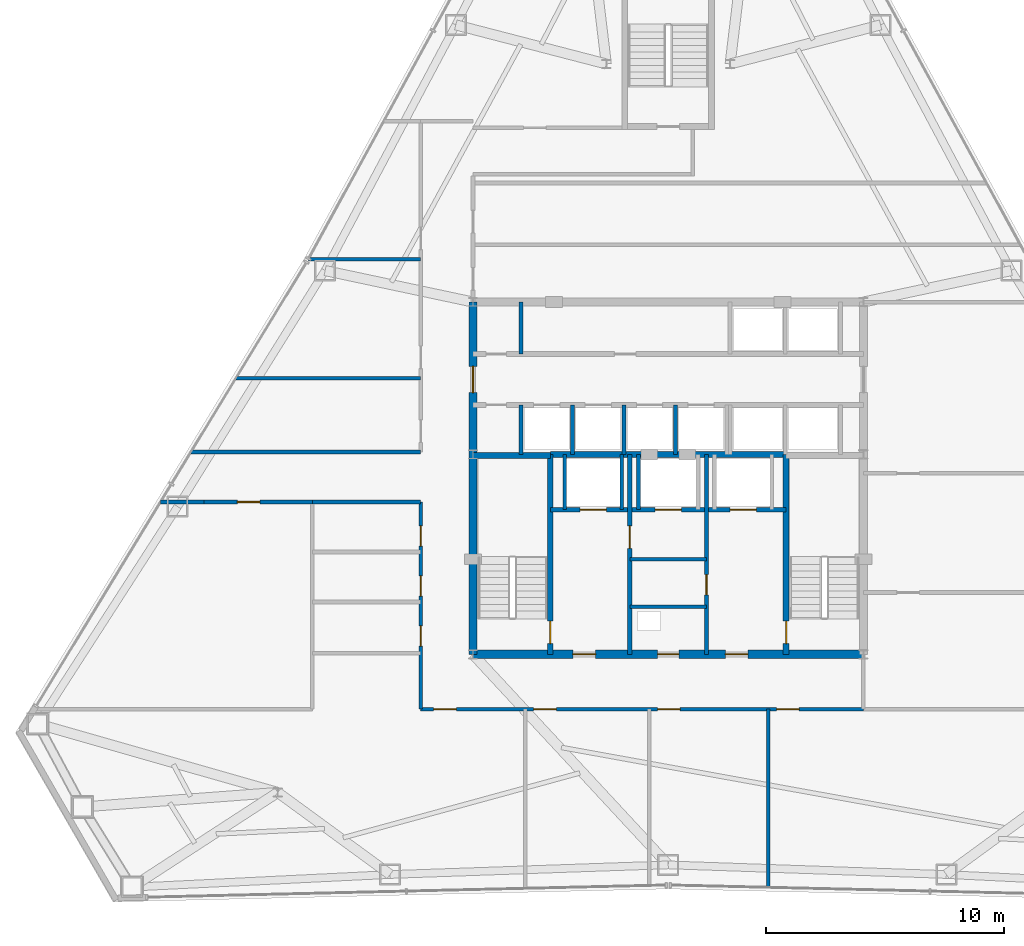
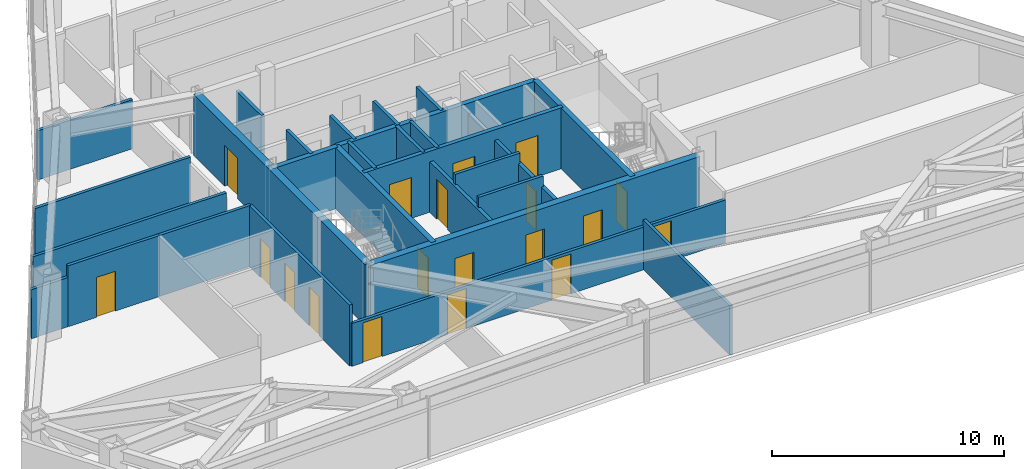
# One storey, part 8 of 11: 28 walls, 19 doors, 19 openings.
"""IFC4 building model written with IfcOpenShell, lengths in metres."""

from ifc_helpers import new_model, si_unit, direction, frame, frame_2d, origin, place, context, subcontext, project, spatial, rectangle, extrude, material, layer, layer_set, type_object, element, fill, save


model = new_model("IFC4")

# Units and contexts
model_context = context("Model", 3, precision=1e-05, world=origin(), true_north=direction((0.0, 1.0)))
body_context = subcontext(model_context, "Body", "Model", "MODEL_VIEW")
ifc_project = project(units=[si_unit("LENGTHUNIT", "METRE"), si_unit("AREAUNIT", "SQUARE_METRE"), si_unit("VOLUMEUNIT", "CUBIC_METRE"), si_unit("PLANEANGLEUNIT", "RADIAN"), si_unit("MASSUNIT", "GRAM", prefix="KILO")], contexts=[model_context])

# Site, building, storey
site_placement = place(None, origin())
site = spatial("IfcSite", under=ifc_project, at=site_placement, CompositionType="ELEMENT")
building_placement = place(site_placement, origin())
building = spatial("IfcBuilding", under=site, at=building_placement, Name="Varakhsha Concourse Tower", CompositionType="ELEMENT")
storey_placement = place(building_placement, frame((0.0, 0.0, 150.5)))
storey = spatial("IfcBuildingStorey", under=building, at=storey_placement, Name="L43", CompositionType="ELEMENT", Elevation=150.5)

# Wall, openings, doors
ifc_material_1 = material(Name="Concrete fc 65 MPa", Category="concrete")
ifc_layer_1 = layer(ifc_material_1, 0.35009765625, Name="WL-CORE-350")
ifc_layer_set_1 = layer_set([ifc_layer_1], Name="Concrete fc 65 MPa")
wall_type_1 = type_object("IfcWallType", Name="WL-CORE-350", PredefinedType="SHEAR", material=ifc_layer_set_1)
wall_1_placement = place(storey_placement, frame((31.800048828125, 16.39990234375, 0.0), z_axis=(0.0, 0.0, 1.0), x_axis=(1.0, 0.0, 0.0)))
wall_1 = element("IfcWall", 1, at=wall_1_placement, inside=storey, type_object=wall_type_1, Name="L43 Wall CWALL-S-L43", PredefinedType="SHEAR", context=body_context, shape_type="SweptSolid", body=[
    extrude(rectangle(XDim=16.39990234375, YDim=0.35009765625, at=frame_2d((8.199951171875, 0.0))), origin(), (0.0, 0.0, 1.0), 3.2099609375),
])
opening_1_placement = place(wall_1_placement, frame((7.75, 0.0, 0.0)))
opening_1 = element("IfcOpeningElement", 2, at=opening_1_placement, cuts=wall_1, Name="Opening DF-06", PredefinedType="OPENING", context=body_context, shape_type="SweptSolid", body=[
    extrude(rectangle(XDim=0.89990234375, YDim=2.10009765625, at=frame_2d((0.449951171875, 1.050048828125))), frame((0.0, 0.18505859375, 0.0), z_axis=(0.0, -1.0, 0.0), x_axis=(1.0, 0.0, 0.0)), (0.0, 0.0, 1.0), 0.3701171875),
])
opening_2_placement = place(wall_1_placement, frame((4.199951171875, 0.0, 0.0)))
opening_2 = element("IfcOpeningElement", 3, at=opening_2_placement, cuts=wall_1, Name="Opening DF-05", PredefinedType="OPENING", context=body_context, shape_type="SweptSolid", body=[
    extrude(rectangle(XDim=0.949951171875, YDim=2.10009765625, at=frame_2d((0.47509765625, 1.050048828125))), frame((0.0, 0.18505859375, 0.0), z_axis=(0.0, -1.0, 0.0), x_axis=(1.0, 0.0, 0.0)), (0.0, 0.0, 1.0), 0.3701171875),
])
opening_3_placement = place(wall_1_placement, frame((10.60009765625, 0.0, 0.0)))
opening_3 = element("IfcOpeningElement", 4, at=opening_3_placement, cuts=wall_1, Name="Opening DF-05", PredefinedType="OPENING", context=body_context, shape_type="SweptSolid", body=[
    extrude(rectangle(XDim=0.949951171875, YDim=2.10009765625, at=frame_2d((0.47509765625, 1.050048828125))), frame((0.0, 0.18505859375, 0.0), z_axis=(0.0, -1.0, 0.0), x_axis=(1.0, 0.0, 0.0)), (0.0, 0.0, 1.0), 0.3701171875),
])
ifc_material_2 = material(Name="Hollow Galvanised Steel Fire Door Assembly", Category="steel")
door_type_1 = type_object("IfcDoorType", Name="DR-FD60-900", OperationType="NOTDEFINED", PredefinedType="DOOR", material=ifc_material_2)
door_1_placement = place(opening_1_placement, origin())
door_1 = element("IfcDoor", 5, at=door_1_placement, inside=storey, type_object=door_type_1, Name="L43 Electrical Riser Door", OperationType="SINGLE_SWING_LEFT", OverallHeight=2.10009765625, OverallWidth=0.89990234375, PredefinedType="DOOR", context=body_context, shape_type="SweptSolid", body=[
    extrude(rectangle(XDim=0.89990234375, YDim=2.10009765625, at=frame_2d((0.449951171875, 1.050048828125))), frame((0.0, 0.02490234375, 0.0), z_axis=(0.0, -1.0, 0.0), x_axis=(1.0, 0.0, 0.0)), (0.0, 0.0, 1.0), 0.050048828125),
])
fill(opening_1, door_1)
door_type_2 = type_object("IfcDoorType", Name="DR-FD60-950", OperationType="NOTDEFINED", PredefinedType="DOOR", material=ifc_material_2)
door_2_placement = place(opening_2_placement, origin())
door_2 = element("IfcDoor", 6, at=door_2_placement, inside=storey, type_object=door_type_2, Name="L43 Firefighting Lobby West Door", OperationType="SINGLE_SWING_RIGHT", OverallHeight=2.10009765625, OverallWidth=0.949951171875, PredefinedType="DOOR", context=body_context, shape_type="SweptSolid", body=[
    extrude(rectangle(XDim=0.949951171875, YDim=2.10009765625, at=frame_2d((0.47509765625, 1.050048828125))), frame((0.0, 0.02490234375, 0.0), z_axis=(0.0, -1.0, 0.0), x_axis=(1.0, 0.0, 0.0)), (0.0, 0.0, 1.0), 0.050048828125),
])
fill(opening_2, door_2)
door_3_placement = place(opening_3_placement, origin())
door_3 = element("IfcDoor", 7, at=door_3_placement, inside=storey, type_object=door_type_2, Name="L43 Firefighting Lobby East Door", OperationType="SINGLE_SWING_LEFT", OverallHeight=2.10009765625, OverallWidth=0.949951171875, PredefinedType="DOOR", context=body_context, shape_type="SweptSolid", body=[
    extrude(rectangle(XDim=0.949951171875, YDim=2.10009765625, at=frame_2d((0.47509765625, 1.050048828125))), frame((0.0, 0.02490234375, 0.0), z_axis=(0.0, -1.0, 0.0), x_axis=(1.0, 0.0, 0.0)), (0.0, 0.0, 1.0), 0.050048828125),
])
fill(opening_3, door_3)

# Wall, opening, door
wall_2_placement = place(storey_placement, frame((31.800048828125, 16.39990234375, 0.0), z_axis=(0.0, 0.0, 1.0), x_axis=(0.0, 1.0, 0.0)))
wall_2 = element("IfcWall", 8, at=wall_2_placement, inside=storey, type_object=wall_type_1, Name="L43 Wall CWALL-W-L43", PredefinedType="SHEAR", context=body_context, shape_type="SweptSolid", body=[
    extrude(rectangle(XDim=14.800048828125, YDim=0.35009765625, at=frame_2d((7.39990234375, 0.0))), origin(), (0.0, 0.0, 1.0), 3.2099609375),
])
opening_4_placement = place(wall_2_placement, frame((11.0, 0.0, 0.0)))
opening_4 = element("IfcOpeningElement", 9, at=opening_4_placement, cuts=wall_2, Name="Opening DL-01", PredefinedType="OPENING", context=body_context, shape_type="SweptSolid", body=[
    extrude(rectangle(XDim=1.10009765625, YDim=2.14990234375, at=frame_2d((0.550048828125, 1.074951171875))), frame((0.0, 0.18505859375, 0.0), z_axis=(0.0, -1.0, 0.0), x_axis=(1.0, 0.0, 0.0)), (0.0, 0.0, 1.0), 0.3701171875),
])
ifc_material_3 = material(Name="Anodised Bronze Architectural Aluminium AA 6063-T6", Category="aluminium")
door_type_3 = type_object("IfcDoorType", Name="DR-LOB-1100", OperationType="NOTDEFINED", PredefinedType="DOOR", material=ifc_material_3)
door_4_placement = place(opening_4_placement, origin())
door_4 = element("IfcDoor", 10, at=door_4_placement, inside=storey, type_object=door_type_3, Name="L43 Lift Lobby West Concourse Door", OperationType="SINGLE_SWING_LEFT", OverallHeight=2.14990234375, OverallWidth=1.10009765625, PredefinedType="DOOR", context=body_context, shape_type="SweptSolid", body=[
    extrude(rectangle(XDim=1.10009765625, YDim=2.14990234375, at=frame_2d((0.550048828125, 1.074951171875))), frame((0.0, 0.02490234375, 0.0), z_axis=(0.0, -1.0, 0.0), x_axis=(1.0, 0.0, 0.0)), (0.0, 0.0, 1.0), 0.050048828125),
])
fill(opening_4, door_4)

ifc_material_4 = material(Name="Fire-Rated Type X Gypsum Partition Assembly", Category="gypsum")
ifc_layer_2 = layer(ifc_material_4, 0.179931640625, Name="WL-FFLOB-180")
ifc_layer_set_2 = layer_set([ifc_layer_2], Name="Fire-Rated Type X Gypsum Partition Assembly")
wall_type_2 = type_object("IfcWallType", Name="WL-FFLOB-180", PredefinedType="PARTITIONING", material=ifc_layer_set_2)
wall_3_placement = place(storey_placement, frame((38.389892578125, 16.39990234375, 0.0), z_axis=(0.0, 0.0, 1.0), x_axis=(0.0, 1.0, 0.0)))
wall_3 = element("IfcWall", 11, at=wall_3_placement, inside=storey, type_object=wall_type_2, Name="L43 Wall FFW-1E-L43", PredefinedType="PARTITIONING", context=body_context, shape_type="SweptSolid", body=[
    extrude(rectangle(XDim=8.400146484375, YDim=0.179931640625, at=frame_2d((4.2001953125, 0.0))), origin(), (0.0, 0.0, 1.0), 2.660888671875),
])
opening_5_placement = place(wall_3_placement, frame((4.449951171875, 0.0, 0.0)))
opening_5 = element("IfcOpeningElement", 12, at=opening_5_placement, cuts=wall_3, Name="Opening DF-05", PredefinedType="OPENING", context=body_context, shape_type="SweptSolid", body=[
    extrude(rectangle(XDim=0.949951171875, YDim=2.10009765625, at=frame_2d((0.47509765625, 1.050048828125))), frame((0.0, 0.099853515625, 0.0), z_axis=(0.0, -1.0, 0.0), x_axis=(1.0, 0.0, 0.0)), (0.0, 0.0, 1.0), 0.199951171875),
])
door_5_placement = place(opening_5_placement, origin())
door_5 = element("IfcDoor", 13, at=door_5_placement, inside=storey, type_object=door_type_2, Name="L43 Service Vestibule Door", OperationType="SINGLE_SWING_RIGHT", OverallHeight=2.10009765625, OverallWidth=0.949951171875, PredefinedType="DOOR", context=body_context, shape_type="SweptSolid", body=[
    extrude(rectangle(XDim=0.949951171875, YDim=2.10009765625, at=frame_2d((0.47509765625, 1.050048828125))), frame((0.0, 0.02490234375, 0.0), z_axis=(0.0, -1.0, 0.0), x_axis=(1.0, 0.0, 0.0)), (0.0, 0.0, 1.0), 0.050048828125),
])
fill(opening_5, door_5)

wall_4_placement = place(storey_placement, frame((41.610107421875, 16.39990234375, 0.0), z_axis=(0.0, 0.0, 1.0), x_axis=(0.0, 1.0, 0.0)))
wall_4 = element("IfcWall", 14, at=wall_4_placement, inside=storey, type_object=wall_type_2, Name="L43 Wall FFW-2W-L43", PredefinedType="PARTITIONING", context=body_context, shape_type="SweptSolid", body=[
    extrude(rectangle(XDim=8.400146484375, YDim=0.179931640625, at=frame_2d((4.2001953125, 0.0))), origin(), (0.0, 0.0, 1.0), 2.660888671875),
])
opening_6_placement = place(wall_4_placement, frame((2.5, 0.0, 0.0)))
opening_6 = element("IfcOpeningElement", 15, at=opening_6_placement, cuts=wall_4, Name="Opening DF-07", PredefinedType="OPENING", context=body_context, shape_type="SweptSolid", body=[
    extrude(rectangle(XDim=0.85009765625, YDim=2.050048828125, at=frame_2d((0.425048828125, 1.02490234375))), frame((0.0, 0.099853515625, 0.0), z_axis=(0.0, -1.0, 0.0), x_axis=(1.0, 0.0, 0.0)), (0.0, 0.0, 1.0), 0.199951171875),
])
door_type_4 = type_object("IfcDoorType", Name="DR-FD60-850", OperationType="NOTDEFINED", PredefinedType="DOOR", material=ifc_material_2)
door_6_placement = place(opening_6_placement, origin())
door_6 = element("IfcDoor", 16, at=door_6_placement, inside=storey, type_object=door_type_4, Name="L43 Telecoms Node Door", OperationType="SINGLE_SWING_LEFT", OverallHeight=2.050048828125, OverallWidth=0.85009765625, PredefinedType="DOOR", context=body_context, shape_type="SweptSolid", body=[
    extrude(rectangle(XDim=0.85009765625, YDim=2.050048828125, at=frame_2d((0.425048828125, 1.02490234375))), frame((0.0, 0.02490234375, 0.0), z_axis=(0.0, -1.0, 0.0), x_axis=(1.0, 0.0, 0.0)), (0.0, 0.0, 1.0), 0.050048828125),
])
fill(opening_6, door_6)

# Walls
ifc_layer_3 = layer(ifc_material_4, 0.14990234375, Name="WL-PART-150")
ifc_layer_set_3 = layer_set([ifc_layer_3], Name="Fire-Rated Type X Gypsum Partition Assembly")
wall_type_3 = type_object("IfcWallType", Name="WL-PART-150", PredefinedType="PARTITIONING", material=ifc_layer_set_3)
for number, where, z_axis, x_axis, name in (
    (17, (38.389892578125, 18.39990234375, 0.0), (0.0, 0.0, 1.0), (1.0, 0.0, 0.0), "L43 Wall RSW-H1-L43"),
    (18, (38.389892578125, 20.39990234375, 0.0), (0.0, 0.0, 1.0), (1.0, 0.0, 0.0), "L43 Wall RSW-H2-L43"),
):
    element("IfcWall", number, at=place(storey_placement, frame(where, z_axis=z_axis, x_axis=x_axis)), inside=storey, type_object=wall_type_3, Name=name, PredefinedType="PARTITIONING", context=body_context, shape_type="SweptSolid", body=[
        extrude(rectangle(XDim=3.22021484375, YDim=0.14990234375, at=frame_2d((1.610107421875, 0.0))), origin(), (0.0, 0.0, 1.0), 3.2099609375),
    ])

# Wall, openings, doors
wall_5_placement = place(storey_placement, frame((29.60009765625, 14.10009765625, 0.0), z_axis=(0.0, 0.0, 1.0), x_axis=(1.0, 0.0, 0.0)))
wall_5 = element("IfcWall", 19, at=wall_5_placement, inside=storey, type_object=wall_type_3, Name="L43 Wall CRW-S-L43", PredefinedType="PARTITIONING", context=body_context, shape_type="SweptSolid", body=[
    extrude(rectangle(XDim=18.599853515625, YDim=0.14990234375, at=frame_2d((9.2998046875, 0.0))), origin(), (0.0, 0.0, 1.0), 2.251953125),
])
opening_7_placement = place(wall_5_placement, frame((0.550048828125, 0.0, 0.0)))
opening_7 = element("IfcOpeningElement", 20, at=opening_7_placement, cuts=wall_5, Name="Opening DF-05", PredefinedType="OPENING", context=body_context, shape_type="SweptSolid", body=[
    extrude(rectangle(XDim=0.949951171875, YDim=2.10009765625, at=frame_2d((0.47509765625, 1.050048828125))), frame((0.0, 0.0849609375, 0.0), z_axis=(0.0, -1.0, 0.0), x_axis=(1.0, 0.0, 0.0)), (0.0, 0.0, 1.0), 0.169921875),
])
opening_8_placement = place(wall_5_placement, frame((4.75, 0.0, 0.0)))
opening_8 = element("IfcOpeningElement", 21, at=opening_8_placement, cuts=wall_5, Name="Opening DF-05", PredefinedType="OPENING", context=body_context, shape_type="SweptSolid", body=[
    extrude(rectangle(XDim=0.949951171875, YDim=2.10009765625, at=frame_2d((0.47509765625, 1.050048828125))), frame((0.0, 0.0849609375, 0.0), z_axis=(0.0, -1.0, 0.0), x_axis=(1.0, 0.0, 0.0)), (0.0, 0.0, 1.0), 0.169921875),
])
opening_9_placement = place(wall_5_placement, frame((9.949951171875, 0.0, 0.0)))
opening_9 = element("IfcOpeningElement", 22, at=opening_9_placement, cuts=wall_5, Name="Opening DF-05", PredefinedType="OPENING", context=body_context, shape_type="SweptSolid", body=[
    extrude(rectangle(XDim=0.949951171875, YDim=2.10009765625, at=frame_2d((0.47509765625, 1.050048828125))), frame((0.0, 0.0849609375, 0.0), z_axis=(0.0, -1.0, 0.0), x_axis=(1.0, 0.0, 0.0)), (0.0, 0.0, 1.0), 0.169921875),
])
opening_10_placement = place(wall_5_placement, frame((14.949951171875, 0.0, 0.0)))
opening_10 = element("IfcOpeningElement", 23, at=opening_10_placement, cuts=wall_5, Name="Opening DF-05", PredefinedType="OPENING", context=body_context, shape_type="SweptSolid", body=[
    extrude(rectangle(XDim=0.949951171875, YDim=2.10009765625, at=frame_2d((0.47509765625, 1.050048828125))), frame((0.0, 0.0849609375, 0.0), z_axis=(0.0, -1.0, 0.0), x_axis=(1.0, 0.0, 0.0)), (0.0, 0.0, 1.0), 0.169921875),
])
door_7_placement = place(opening_7_placement, origin())
door_7 = element("IfcDoor", 24, at=door_7_placement, inside=storey, type_object=door_type_2, Name="L43 Grand Corner Boardroom L43-S1 Door", OperationType="SINGLE_SWING_LEFT", OverallHeight=2.10009765625, OverallWidth=0.949951171875, PredefinedType="DOOR", context=body_context, shape_type="SweptSolid", body=[
    extrude(rectangle(XDim=0.949951171875, YDim=2.10009765625, at=frame_2d((0.47509765625, 1.050048828125))), frame((0.0, 0.02490234375, 0.0), z_axis=(0.0, -1.0, 0.0), x_axis=(1.0, 0.0, 0.0)), (0.0, 0.0, 1.0), 0.050048828125),
])
fill(opening_7, door_7)
door_8_placement = place(opening_8_placement, origin())
door_8 = element("IfcDoor", 25, at=door_8_placement, inside=storey, type_object=door_type_2, Name="L43 Executive Director Suite L43-S2 Door", OperationType="SINGLE_SWING_RIGHT", OverallHeight=2.10009765625, OverallWidth=0.949951171875, PredefinedType="DOOR", context=body_context, shape_type="SweptSolid", body=[
    extrude(rectangle(XDim=0.949951171875, YDim=2.10009765625, at=frame_2d((0.47509765625, 1.050048828125))), frame((0.0, 0.02490234375, 0.0), z_axis=(0.0, -1.0, 0.0), x_axis=(1.0, 0.0, 0.0)), (0.0, 0.0, 1.0), 0.050048828125),
])
fill(opening_8, door_8)
door_9_placement = place(opening_9_placement, origin())
door_9 = element("IfcDoor", 26, at=door_9_placement, inside=storey, type_object=door_type_2, Name="L43 Executive Director Suite L43-S3 Door", OperationType="SINGLE_SWING_LEFT", OverallHeight=2.10009765625, OverallWidth=0.949951171875, PredefinedType="DOOR", context=body_context, shape_type="SweptSolid", body=[
    extrude(rectangle(XDim=0.949951171875, YDim=2.10009765625, at=frame_2d((0.47509765625, 1.050048828125))), frame((0.0, 0.02490234375, 0.0), z_axis=(0.0, -1.0, 0.0), x_axis=(1.0, 0.0, 0.0)), (0.0, 0.0, 1.0), 0.050048828125),
])
fill(opening_9, door_9)
door_10_placement = place(opening_10_placement, origin())
door_10 = element("IfcDoor", 27, at=door_10_placement, inside=storey, type_object=door_type_2, Name="L43 Executive Director Suite L43-S4 Door", OperationType="SINGLE_SWING_RIGHT", OverallHeight=2.10009765625, OverallWidth=0.949951171875, PredefinedType="DOOR", context=body_context, shape_type="SweptSolid", body=[
    extrude(rectangle(XDim=0.949951171875, YDim=2.10009765625, at=frame_2d((0.47509765625, 1.050048828125))), frame((0.0, 0.02490234375, 0.0), z_axis=(0.0, -1.0, 0.0), x_axis=(1.0, 0.0, 0.0)), (0.0, 0.0, 1.0), 0.050048828125),
])
fill(opening_10, door_10)

wall_6_placement = place(storey_placement, frame((29.60009765625, 14.10009765625, 0.0), z_axis=(0.0, 0.0, 1.0), x_axis=(0.0, 1.0, 0.0)))
wall_6 = element("IfcWall", 28, at=wall_6_placement, inside=storey, type_object=wall_type_3, Name="L43 Wall CRW-WS-L43", PredefinedType="PARTITIONING", context=body_context, shape_type="SweptSolid", body=[
    extrude(rectangle(XDim=8.699951171875, YDim=0.14990234375, at=frame_2d((4.35009765625, 0.0))), origin(), (0.0, 0.0, 1.0), 3.2099609375),
])
opening_11_placement = place(wall_6_placement, frame((2.64990234375, 0.0, 0.0)))
opening_11 = element("IfcOpeningElement", 29, at=opening_11_placement, cuts=wall_6, Name="Opening DF-07", PredefinedType="OPENING", context=body_context, shape_type="SweptSolid", body=[
    extrude(rectangle(XDim=0.85009765625, YDim=2.050048828125, at=frame_2d((0.425048828125, 1.02490234375))), frame((0.0, 0.0849609375, 0.0), z_axis=(0.0, -1.0, 0.0), x_axis=(1.0, 0.0, 0.0)), (0.0, 0.0, 1.0), 0.169921875),
])
opening_12_placement = place(wall_6_placement, frame((4.75, 0.0, 0.0)))
opening_12 = element("IfcOpeningElement", 30, at=opening_12_placement, cuts=wall_6, Name="Opening DF-07", PredefinedType="OPENING", context=body_context, shape_type="SweptSolid", body=[
    extrude(rectangle(XDim=0.85009765625, YDim=2.050048828125, at=frame_2d((0.425048828125, 1.02490234375))), frame((0.0, 0.0849609375, 0.0), z_axis=(0.0, -1.0, 0.0), x_axis=(1.0, 0.0, 0.0)), (0.0, 0.0, 1.0), 0.169921875),
])
opening_13_placement = place(wall_6_placement, frame((6.85009765625, 0.0, 0.0)))
opening_13 = element("IfcOpeningElement", 31, at=opening_13_placement, cuts=wall_6, Name="Opening DF-07", PredefinedType="OPENING", context=body_context, shape_type="SweptSolid", body=[
    extrude(rectangle(XDim=0.85009765625, YDim=2.050048828125, at=frame_2d((0.425048828125, 1.02490234375))), frame((0.0, 0.0849609375, 0.0), z_axis=(0.0, -1.0, 0.0), x_axis=(1.0, 0.0, 0.0)), (0.0, 0.0, 1.0), 0.169921875),
])
door_11_placement = place(opening_11_placement, origin())
door_11 = element("IfcDoor", 32, at=door_11_placement, inside=storey, type_object=door_type_4, Name="L43 Men Restroom WC Door", OperationType="SINGLE_SWING_LEFT", OverallHeight=2.050048828125, OverallWidth=0.85009765625, PredefinedType="DOOR", context=body_context, shape_type="SweptSolid", body=[
    extrude(rectangle(XDim=0.85009765625, YDim=2.050048828125, at=frame_2d((0.425048828125, 1.02490234375))), frame((0.0, 0.02490234375, 0.0), z_axis=(0.0, -1.0, 0.0), x_axis=(1.0, 0.0, 0.0)), (0.0, 0.0, 1.0), 0.050048828125),
])
fill(opening_11, door_11)
door_12_placement = place(opening_12_placement, origin())
door_12 = element("IfcDoor", 33, at=door_12_placement, inside=storey, type_object=door_type_4, Name="L43 Women Restroom WC Door", OperationType="SINGLE_SWING_LEFT", OverallHeight=2.050048828125, OverallWidth=0.85009765625, PredefinedType="DOOR", context=body_context, shape_type="SweptSolid", body=[
    extrude(rectangle(XDim=0.85009765625, YDim=2.050048828125, at=frame_2d((0.425048828125, 1.02490234375))), frame((0.0, 0.02490234375, 0.0), z_axis=(0.0, -1.0, 0.0), x_axis=(1.0, 0.0, 0.0)), (0.0, 0.0, 1.0), 0.050048828125),
])
fill(opening_12, door_12)
door_13_placement = place(opening_13_placement, origin())
door_13 = element("IfcDoor", 34, at=door_13_placement, inside=storey, type_object=door_type_4, Name="L43 Accessible WC Door", OperationType="SINGLE_SWING_LEFT", OverallHeight=2.050048828125, OverallWidth=0.85009765625, PredefinedType="DOOR", context=body_context, shape_type="SweptSolid", body=[
    extrude(rectangle(XDim=0.85009765625, YDim=2.050048828125, at=frame_2d((0.425048828125, 1.02490234375))), frame((0.0, 0.02490234375, 0.0), z_axis=(0.0, -1.0, 0.0), x_axis=(1.0, 0.0, 0.0)), (0.0, 0.0, 1.0), 0.050048828125),
])
fill(opening_13, door_13)

# Walls
wall_7_placement = place(storey_placement, frame((18.67626953125, 22.800048828125, 0.0), z_axis=(0.0, 0.0, 1.0), x_axis=(1.0, 0.0, 0.0)))
element("IfcWall", 35, at=wall_7_placement, inside=storey, type_object=wall_type_3, Name="L43 Wall CRW-WWS-W-L43", PredefinedType="PARTITIONING", context=body_context, shape_type="SweptSolid", body=[
    extrude(rectangle(XDim=1.82373046875, YDim=0.14990234375, at=frame_2d((0.911865234375, 0.0))), origin(), (0.0, 0.0, 1.0), 2.589111328125),
])
wall_8_placement = place(storey_placement, frame((25.050048828125, 22.800048828125, 0.0), z_axis=(0.0, 0.0, 1.0), x_axis=(1.0, 0.0, 0.0)))
element("IfcWall", 36, at=wall_8_placement, inside=storey, type_object=wall_type_3, Name="L43 Wall CRW-WWS-E-L43", PredefinedType="PARTITIONING", context=body_context, shape_type="SweptSolid", body=[
    extrude(rectangle(XDim=4.550048828125, YDim=0.14990234375, at=frame_2d((2.27490234375, 0.0))), origin(), (0.0, 0.0, 1.0), 3.2099609375),
])
wall_9_placement = place(storey_placement, frame((19.955078125, 24.89990234375, 0.0), z_axis=(0.0, 0.0, 1.0), x_axis=(1.0, 0.0, 0.0)))
element("IfcWall", 37, at=wall_9_placement, inside=storey, type_object=wall_type_3, Name="L43 Wall CRW-WWN-L43", PredefinedType="PARTITIONING", context=body_context, shape_type="SweptSolid", body=[
    extrude(rectangle(XDim=9.64501953125, YDim=0.14990234375, at=frame_2d((4.822509765625, 0.0))), origin(), (0.0, 0.0, 1.0), 2.589111328125),
])
wall_10_placement = place(storey_placement, frame((44.199951171875, 6.61279296875, 0.0), z_axis=(0.0, 0.0, 1.0), x_axis=(0.0, 1.0, 0.0)))
element("IfcWall", 38, at=wall_10_placement, inside=storey, type_object=wall_type_3, Name="L43 Wall ODIV-S3-L43", PredefinedType="PARTITIONING", context=body_context, shape_type="SweptSolid", body=[
    extrude(rectangle(XDim=7.4873046875, YDim=0.14990234375, at=frame_2d((3.74365234375, 0.0))), origin(), (0.0, 0.0, 1.0), 2.589111328125),
])

# Wall, opening, door
wall_11_placement = place(storey_placement, frame((20.5, 22.800048828125, 0.0), z_axis=(0.0, 0.0, 1.0), x_axis=(1.0, 0.0, 0.0)))
wall_11 = element("IfcWall", 39, at=wall_11_placement, inside=storey, type_object=wall_type_3, Name="L43 Wall CRW-WWS-DOOR-L43", PredefinedType="PARTITIONING", context=body_context, shape_type="SweptSolid", body=[
    extrude(rectangle(XDim=4.550048828125, YDim=0.14990234375, at=frame_2d((2.27490234375, 0.0))), origin(), (0.0, 0.0, 1.0), 3.2099609375),
])
opening_14_placement = place(wall_11_placement, frame((1.39990234375, 0.0, 0.0)))
opening_14 = element("IfcOpeningElement", 40, at=opening_14_placement, cuts=wall_11, Name="Opening DF-05", PredefinedType="OPENING", context=body_context, shape_type="SweptSolid", body=[
    extrude(rectangle(XDim=0.949951171875, YDim=2.10009765625, at=frame_2d((0.47509765625, 1.050048828125))), frame((0.0, 0.0849609375, 0.0), z_axis=(0.0, -1.0, 0.0), x_axis=(1.0, 0.0, 0.0)), (0.0, 0.0, 1.0), 0.169921875),
])
door_14_placement = place(opening_14_placement, origin())
door_14 = element("IfcDoor", 41, at=door_14_placement, inside=storey, type_object=door_type_2, Name="L43 Diplomatic Reception Gallery L43-SW Door", OperationType="SINGLE_SWING_LEFT", OverallHeight=2.10009765625, OverallWidth=0.949951171875, PredefinedType="DOOR", context=body_context, shape_type="SweptSolid", body=[
    extrude(rectangle(XDim=0.949951171875, YDim=2.10009765625, at=frame_2d((0.47509765625, 1.050048828125))), frame((0.0, 0.02490234375, 0.0), z_axis=(0.0, -1.0, 0.0), x_axis=(1.0, 0.0, 0.0)), (0.0, 0.0, 1.0), 0.050048828125),
])
fill(opening_14, door_14)

# Walls
wall_12_placement = place(storey_placement, frame((21.843017578125, 28.0, 0.0), z_axis=(0.0, 0.0, 1.0), x_axis=(1.0, 0.0, 0.0)))
element("IfcWall", 42, at=wall_12_placement, inside=storey, type_object=wall_type_3, Name="L43 Wall ODIV-W1-L43", PredefinedType="PARTITIONING", context=body_context, shape_type="SweptSolid", body=[
    extrude(rectangle(XDim=7.757080078125, YDim=0.14990234375, at=frame_2d((3.87841796875, 0.0))), origin(), (0.0, 0.0, 1.0), 2.589111328125),
])
wall_13_placement = place(storey_placement, frame((24.884521484375, 33.0, 0.0), z_axis=(0.0, 0.0, 1.0), x_axis=(1.0, 0.0, 0.0)))
element("IfcWall", 43, at=wall_13_placement, inside=storey, type_object=wall_type_3, Name="L43 Wall ODIV-W2-L43", PredefinedType="PARTITIONING", context=body_context, shape_type="SweptSolid", body=[
    extrude(rectangle(XDim=4.715576171875, YDim=0.14990234375, at=frame_2d((2.35791015625, 0.0))), origin(), (0.0, 0.0, 1.0), 2.589111328125),
])

# Wall, openings, doors
ifc_layer_4 = layer(ifc_material_4, 0.199951171875, Name="WL-SHAFT-220")
ifc_layer_set_4 = layer_set([ifc_layer_4], Name="Fire-Rated Type X Gypsum Partition Assembly")
wall_type_4 = type_object("IfcWallType", Name="WL-SHAFT-220", PredefinedType="SOLIDWALL", material=ifc_layer_set_4)
wall_14_placement = place(storey_placement, frame((35.044921875, 22.47998046875, 0.0), z_axis=(0.0, 0.0, 1.0), x_axis=(1.0, 0.0, 0.0)))
wall_14 = element("IfcWall", 44, at=wall_14_placement, inside=storey, type_object=wall_type_4, Name="L43 Wall FFW-NH-L43", PredefinedType="SOLIDWALL", context=body_context, shape_type="SweptSolid", body=[
    extrude(rectangle(XDim=9.91015625, YDim=0.199951171875, at=frame_2d((4.955078125, 0.0))), origin(), (0.0, 0.0, 1.0), 3.2099609375),
])
opening_15_placement = place(wall_14_placement, frame((1.2548828125, 0.0, 0.0)))
opening_15 = element("IfcOpeningElement", 45, at=opening_15_placement, cuts=wall_14, Name="Opening LD-FFL-1", PredefinedType="OPENING", context=body_context, shape_type="SweptSolid", body=[
    extrude(rectangle(XDim=1.10009765625, YDim=2.14990234375, at=frame_2d((0.550048828125, 1.074951171875))), frame((0.0, 0.10986328125, 0.0), z_axis=(0.0, -1.0, 0.0), x_axis=(1.0, 0.0, 0.0)), (0.0, 0.0, 1.0), 0.219970703125),
])
opening_16_placement = place(wall_14_placement, frame((7.554931640625, 0.0, 0.0)))
opening_16 = element("IfcOpeningElement", 46, at=opening_16_placement, cuts=wall_14, Name="Opening LD-FFL-2", PredefinedType="OPENING", context=body_context, shape_type="SweptSolid", body=[
    extrude(rectangle(XDim=1.10009765625, YDim=2.14990234375, at=frame_2d((0.550048828125, 1.074951171875))), frame((0.0, 0.10986328125, 0.0), z_axis=(0.0, -1.0, 0.0), x_axis=(1.0, 0.0, 0.0)), (0.0, 0.0, 1.0), 0.219970703125),
])
opening_17_placement = place(wall_14_placement, frame((4.405029296875, 0.0, 0.0)))
opening_17 = element("IfcOpeningElement", 47, at=opening_17_placement, cuts=wall_14, Name="Opening LD-SVL-1", PredefinedType="OPENING", context=body_context, shape_type="SweptSolid", body=[
    extrude(rectangle(XDim=1.10009765625, YDim=2.14990234375, at=frame_2d((0.550048828125, 1.074951171875))), frame((0.0, 0.10986328125, 0.0), z_axis=(0.0, -1.0, 0.0), x_axis=(1.0, 0.0, 0.0)), (0.0, 0.0, 1.0), 0.219970703125),
])
ifc_material_5 = material(Name="Brushed Austenitic Stainless Steel AISI 316", Category="steel")
door_type_5 = type_object("IfcDoorType", Name="DR-LD-1100", OperationType="DOUBLE_DOOR_SLIDING", PredefinedType="DOOR", material=ifc_material_5)
door_15_placement = place(opening_15_placement, origin())
door_15 = element("IfcDoor", 48, at=door_15_placement, inside=storey, type_object=door_type_5, Name="Lift Landing Door FFL-1 L43", OperationType="DOUBLE_DOOR_SLIDING", OverallHeight=2.14990234375, OverallWidth=1.10009765625, PredefinedType="DOOR", context=body_context, shape_type="SweptSolid", body=[
    extrude(rectangle(XDim=1.10009765625, YDim=2.14990234375, at=frame_2d((0.550048828125, 1.074951171875))), frame((0.0, 0.02490234375, 0.0), z_axis=(0.0, -1.0, 0.0), x_axis=(1.0, 0.0, 0.0)), (0.0, 0.0, 1.0), 0.050048828125),
])
fill(opening_15, door_15)
door_16_placement = place(opening_16_placement, origin())
door_16 = element("IfcDoor", 49, at=door_16_placement, inside=storey, type_object=door_type_5, Name="Lift Landing Door FFL-2 L43", OperationType="DOUBLE_DOOR_SLIDING", OverallHeight=2.14990234375, OverallWidth=1.10009765625, PredefinedType="DOOR", context=body_context, shape_type="SweptSolid", body=[
    extrude(rectangle(XDim=1.10009765625, YDim=2.14990234375, at=frame_2d((0.550048828125, 1.074951171875))), frame((0.0, 0.02490234375, 0.0), z_axis=(0.0, -1.0, 0.0), x_axis=(1.0, 0.0, 0.0)), (0.0, 0.0, 1.0), 0.050048828125),
])
fill(opening_16, door_16)
door_17_placement = place(opening_17_placement, origin())
door_17 = element("IfcDoor", 50, at=door_17_placement, inside=storey, type_object=door_type_5, Name="Lift Landing Door SVL-1 L43", OperationType="DOUBLE_DOOR_SLIDING", OverallHeight=2.14990234375, OverallWidth=1.10009765625, PredefinedType="DOOR", context=body_context, shape_type="SweptSolid", body=[
    extrude(rectangle(XDim=1.10009765625, YDim=2.14990234375, at=frame_2d((0.550048828125, 1.074951171875))), frame((0.0, 0.02490234375, 0.0), z_axis=(0.0, -1.0, 0.0), x_axis=(1.0, 0.0, 0.0)), (0.0, 0.0, 1.0), 0.050048828125),
])
fill(opening_17, door_17)

# Walls
for number, where, z_axis, x_axis, name in (
    (51, (35.64990234375, 22.47998046875, 0.0), (0.0, 0.0, 1.0), (0.0, 1.0, 0.0), "L43 Wall SHW-FFL-1-W-L43"),
    (52, (38.050048828125, 22.47998046875, 0.0), (0.0, 0.0, 1.0), (0.0, 1.0, 0.0), "L43 Wall SHW-FFL-1-E-L43"),
    (53, (38.75, 22.47998046875, 0.0), (0.0, 0.0, 1.0), (0.0, 1.0, 0.0), "L43 Wall SHW-SVL-1-W-L43"),
):
    element("IfcWall", number, at=place(storey_placement, frame(where, z_axis=z_axis, x_axis=x_axis)), inside=storey, type_object=wall_type_4, Name=name, PredefinedType="SOLIDWALL", context=body_context, shape_type="SweptSolid", body=[
        extrude(rectangle(XDim=2.320068359375, YDim=0.159912109375, at=frame_2d((1.16015625, 0.0))), origin(), (0.0, 0.0, 1.0), 3.2099609375),
    ])
wall_15_placement = place(storey_placement, frame((33.820068359375, 29.02001953125, 0.0), z_axis=(0.0, 0.0, 1.0), x_axis=(0.0, 1.0, 0.0)))
element("IfcWall", 54, at=wall_15_placement, inside=storey, type_object=wall_type_4, Name="L43 Wall WBOH-E1-L43", PredefinedType="SOLIDWALL", context=body_context, shape_type="SweptSolid", body=[
    extrude(rectangle(XDim=2.179931640625, YDim=0.159912109375, at=frame_2d((1.08984375, 0.0))), origin(), (0.0, 0.0, 1.0), 2.660888671875),
])
for number, where, z_axis, x_axis, name in (
    (55, (33.820068359375, 24.800048828125, 0.0), (0.0, 0.0, 1.0), (0.0, 1.0, 0.0), "L43 Wall WBOH-E2-L43"),
    (56, (35.97998046875, 24.800048828125, 0.0), (0.0, 0.0, 1.0), (0.0, 1.0, 0.0), "L43 Wall SHW-LF-P05-E-L43"),
    (57, (38.139892578125, 24.800048828125, 0.0), (0.0, 0.0, 1.0), (0.0, 1.0, 0.0), "L43 Wall SHW-LF-P06-E-L43"),
    (58, (40.300048828125, 24.800048828125, 0.0), (0.0, 0.0, 1.0), (0.0, 1.0, 0.0), "L43 Wall SHW-LF-P07-E-L43"),
):
    element("IfcWall", number, at=place(storey_placement, frame(where, z_axis=z_axis, x_axis=x_axis)), inside=storey, type_object=wall_type_4, Name=name, PredefinedType="SOLIDWALL", context=body_context, shape_type="SweptSolid", body=[
        extrude(rectangle(XDim=2.079833984375, YDim=0.159912109375, at=frame_2d((1.0400390625, 0.0))), origin(), (0.0, 0.0, 1.0), 3.2099609375),
    ])

# Wall, opening, door
ifc_material_6 = material(Name="Concrete fc 45 MPa", Category="concrete")
ifc_layer_5 = layer(ifc_material_6, 0.25, Name="WL-STAIR-250")
ifc_layer_set_5 = layer_set([ifc_layer_5], Name="Concrete fc 45 MPa")
wall_type_5 = type_object("IfcWallType", Name="WL-STAIR-250", PredefinedType="SHEAR", material=ifc_layer_set_5)
wall_16_placement = place(storey_placement, frame((35.044921875, 16.39990234375, 0.0), z_axis=(0.0, 0.0, 1.0), x_axis=(0.0, 1.0, 0.0)))
wall_16 = element("IfcWall", 59, at=wall_16_placement, inside=storey, type_object=wall_type_5, Name="L43 Wall SWALL-ST1-E-L43", PredefinedType="SHEAR", context=body_context, shape_type="SweptSolid", body=[
    extrude(rectangle(XDim=8.400146484375, YDim=0.25, at=frame_2d((4.2001953125, 0.0))), origin(), (0.0, 0.0, 1.0), 3.2099609375),
])
opening_18_placement = place(wall_16_placement, frame((0.449951171875, 0.0, 0.0)))
opening_18 = element("IfcOpeningElement", 60, at=opening_18_placement, cuts=wall_16, Name="Opening DF-03", PredefinedType="OPENING", context=body_context, shape_type="SweptSolid", body=[
    extrude(rectangle(XDim=0.949951171875, YDim=2.10009765625, at=frame_2d((0.47509765625, 1.050048828125))), frame((0.0, 0.135009765625, 0.0), z_axis=(0.0, -1.0, 0.0), x_axis=(1.0, 0.0, 0.0)), (0.0, 0.0, 1.0), 0.27001953125),
])
door_type_6 = type_object("IfcDoorType", Name="DR-FD90-950", OperationType="NOTDEFINED", PredefinedType="DOOR", material=ifc_material_2)
door_18_placement = place(opening_18_placement, origin())
door_18 = element("IfcDoor", 61, at=door_18_placement, inside=storey, type_object=door_type_6, Name="L43 Stair ST1 Fire Door", OperationType="SINGLE_SWING_LEFT", OverallHeight=2.10009765625, OverallWidth=0.949951171875, PredefinedType="DOOR", context=body_context, shape_type="SweptSolid", body=[
    extrude(rectangle(XDim=0.949951171875, YDim=2.10009765625, at=frame_2d((0.47509765625, 1.050048828125))), frame((0.0, 0.02490234375, 0.0), z_axis=(0.0, -1.0, 0.0), x_axis=(1.0, 0.0, 0.0)), (0.0, 0.0, 1.0), 0.050048828125),
])
fill(opening_18, door_18)

# Wall
wall_17_placement = place(storey_placement, frame((31.800048828125, 24.7548828125, 0.0), z_axis=(0.0, 0.0, 1.0), x_axis=(1.0, 0.0, 0.0)))
element("IfcWall", 62, at=wall_17_placement, inside=storey, type_object=wall_type_5, Name="L43 Wall SWALL-ST1-N-L43", PredefinedType="SHEAR", context=body_context, shape_type="SweptSolid", body=[
    extrude(rectangle(XDim=3.244873046875, YDim=0.25, at=frame_2d((1.62255859375, 0.0))), origin(), (0.0, 0.0, 1.0), 3.2099609375),
])

# Wall, opening, door
wall_18_placement = place(storey_placement, frame((44.955078125, 16.39990234375, 0.0), z_axis=(0.0, 0.0, 1.0), x_axis=(0.0, 1.0, 0.0)))
wall_18 = element("IfcWall", 63, at=wall_18_placement, inside=storey, type_object=wall_type_5, Name="L43 Wall SWALL-ST2-W-L43", PredefinedType="SHEAR", context=body_context, shape_type="SweptSolid", body=[
    extrude(rectangle(XDim=8.400146484375, YDim=0.25, at=frame_2d((4.2001953125, 0.0))), origin(), (0.0, 0.0, 1.0), 3.2099609375),
])
opening_19_placement = place(wall_18_placement, frame((0.449951171875, 0.0, 0.0)))
opening_19 = element("IfcOpeningElement", 64, at=opening_19_placement, cuts=wall_18, Name="Opening DF-03", PredefinedType="OPENING", context=body_context, shape_type="SweptSolid", body=[
    extrude(rectangle(XDim=0.949951171875, YDim=2.10009765625, at=frame_2d((0.47509765625, 1.050048828125))), frame((0.0, 0.135009765625, 0.0), z_axis=(0.0, -1.0, 0.0), x_axis=(1.0, 0.0, 0.0)), (0.0, 0.0, 1.0), 0.27001953125),
])
door_19_placement = place(opening_19_placement, origin())
door_19 = element("IfcDoor", 65, at=door_19_placement, inside=storey, type_object=door_type_6, Name="L43 Stair ST2 Fire Door", OperationType="SINGLE_SWING_RIGHT", OverallHeight=2.10009765625, OverallWidth=0.949951171875, PredefinedType="DOOR", context=body_context, shape_type="SweptSolid", body=[
    extrude(rectangle(XDim=0.949951171875, YDim=2.10009765625, at=frame_2d((0.47509765625, 1.050048828125))), frame((0.0, 0.02490234375, 0.0), z_axis=(0.0, -1.0, 0.0), x_axis=(1.0, 0.0, 0.0)), (0.0, 0.0, 1.0), 0.050048828125),
])
fill(opening_19, door_19)

# Wall
wall_19_placement = place(storey_placement, frame((35.044921875, 24.800048828125, 0.0), z_axis=(0.0, 0.0, 1.0), x_axis=(1.0, 0.0, 0.0)))
element("IfcWall", 66, at=wall_19_placement, inside=storey, type_object=wall_type_5, Name="L43 Wall SWALL-MID-H-L43", PredefinedType="SHEAR", context=body_context, shape_type="SweptSolid", body=[
    extrude(rectangle(XDim=9.91015625, YDim=0.25, at=frame_2d((4.955078125, 0.0))), origin(), (0.0, 0.0, 1.0), 3.2099609375),
])

save(model, "model.ifc")
